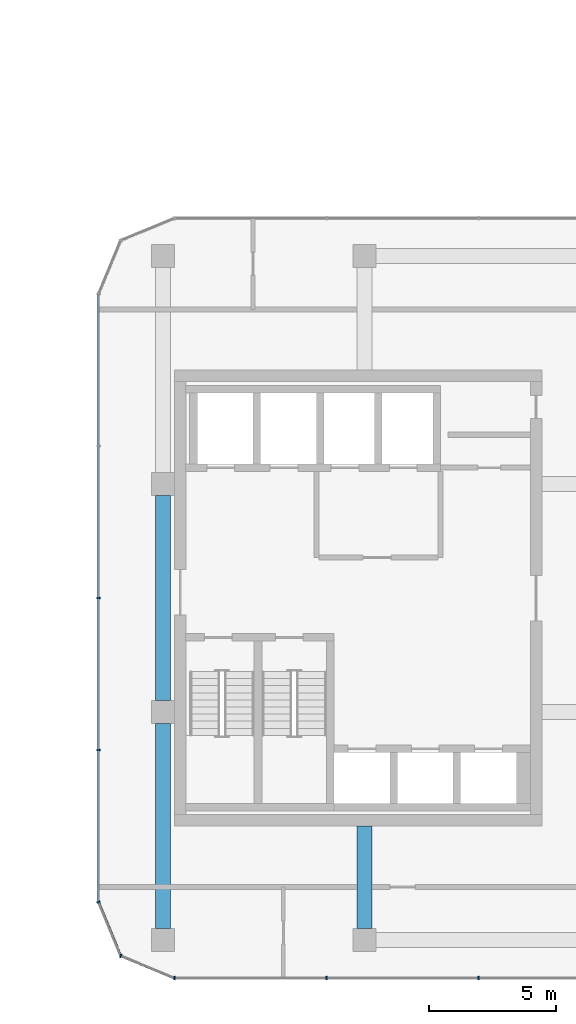
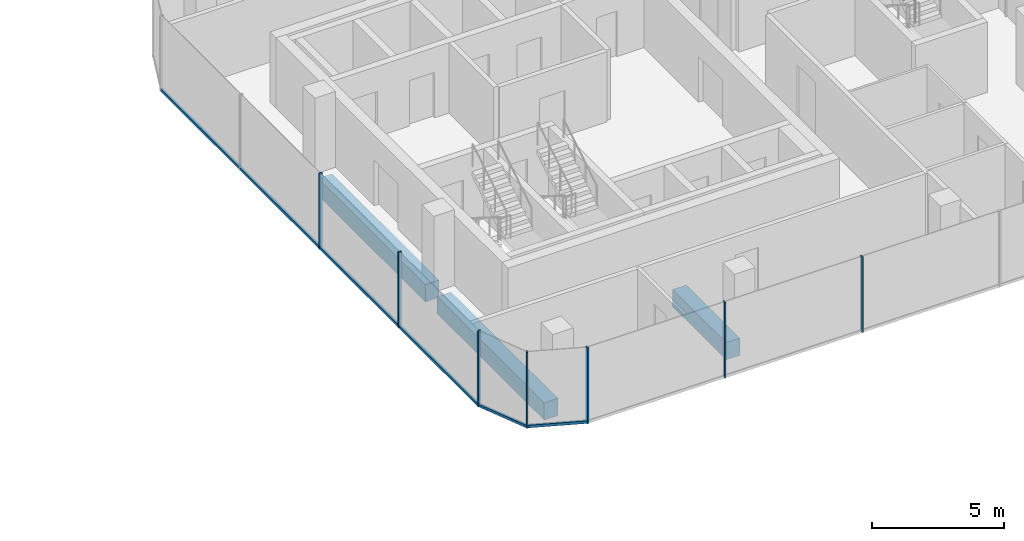
# One storey, part 7 of 27: 10 members, 3 beams, 4 elements without a shape of their own.
"""IFC4 building model written with IfcOpenShell, lengths in metres."""

from ifc_helpers import new_model, si_unit, direction, frame, origin, origin_2d, place, context, subcontext, project, spatial, rectangle, extrude, material, layer, layer_set, material_profile, profile_set, type_object, element, aggregate, save


model = new_model("IFC4")

# Units and contexts
model_context = context("Model", 3, precision=1e-05, world=origin(), true_north=direction((0.0, 1.0)))
body_context = subcontext(model_context, "Body", "Model", "MODEL_VIEW")
ifc_project = project(units=[si_unit("LENGTHUNIT", "METRE"), si_unit("AREAUNIT", "SQUARE_METRE"), si_unit("VOLUMEUNIT", "CUBIC_METRE"), si_unit("PLANEANGLEUNIT", "RADIAN"), si_unit("MASSUNIT", "GRAM", prefix="KILO")], contexts=[model_context])

# Site, building, storey
site_placement = place(None, origin())
site = spatial("IfcSite", under=ifc_project, at=site_placement, CompositionType="ELEMENT")
building_placement = place(site_placement, origin())
building = spatial("IfcBuilding", under=site, at=building_placement, Name="Plateau Cross Towers", CompositionType="ELEMENT")
storey_placement = place(building_placement, frame((0.0, 0.0, 78.300048828125)))
storey = spatial("IfcBuildingStorey", under=building, at=storey_placement, Name="L19", CompositionType="ELEMENT", Elevation=78.300048828125)

# Beam
ifc_material_1 = material(Name="Concrete C60/75", Category="concrete")
ifc_material_profile_1 = material_profile(ifc_material_1, rectangle(XDim=0.60009765625, YDim=0.800048828125, at=origin_2d()), Name="RC 600x800")
ifc_profile_set_1 = profile_set([ifc_material_profile_1], Name="Concrete C60/75")
beam_type_1 = type_object("IfcBeamType", Name="Core beam RC 600x800", PredefinedType="BEAM", material=ifc_profile_set_1)
beam_placement = place(storey_placement, frame((82.5, 0.0, -0.650146484375), z_axis=(0.0, -1.0, 0.0), x_axis=(1.0, 0.0, 0.0)))
element("IfcBeam", 1, at=beam_placement, inside=storey, type_object=beam_type_1, Name="B-CB01@L19", PredefinedType="BEAM", context=body_context, shape_type="SweptSolid", body=[
    extrude(rectangle(XDim=0.60009765625, YDim=0.800048828125, at=origin_2d()), origin(), (0.0, 0.0, 1.0), 4.050048828125),
])

# Curtain wall, members
ifc_material_2 = material(Name="Dark low-iron glass", Category="glass")
ifc_layer = layer(ifc_material_2, 0.239990234375)
ifc_layer_set = layer_set([ifc_layer], Name="Dark low-iron glass")
curtain_wall_type = type_object("IfcCurtainWallType", Name="Curtain wall office unitised CW-F", PredefinedType="NOTDEFINED", material=ifc_layer_set)
curtain_wall_1_placement = place(storey_placement, origin())
curtain_wall_1 = element("IfcCurtainWall", 2, at=curtain_wall_1_placement, inside=storey, type_object=curtain_wall_type, Name="ENV/B/L19/B750_-60", PredefinedType="NOTDEFINED")
ifc_material_3 = material(Name="Black anodised aluminium", Category="aluminium")
ifc_material_profile_2 = material_profile(ifc_material_3, rectangle(XDim=0.06005859375, YDim=0.139892578125, at=origin_2d()), Name="MULLION 60x140")
ifc_profile_set_2 = profile_set([ifc_material_profile_2], Name="Black anodised aluminium")
member_type_1 = type_object("IfcMemberType", Name="Mullion 60x140 office unitised", PredefinedType="MULLION", material=ifc_profile_set_2)
member_1_placement = place(storey_placement, frame((75.0, -6.0, -0.25), z_axis=(0.0, 0.0, 1.0), x_axis=(1.0, 0.0, 0.0)))
member_1 = element("IfcMember", 3, at=member_1_placement, type_object=member_type_1, Name="CW-F mullion 1", PredefinedType="MULLION", context=body_context, shape_type="SweptSolid", body=[
    extrude(rectangle(XDim=0.06005859375, YDim=0.139892578125, at=origin_2d()), origin(), (0.0, 0.0, 1.0), 3.5),
])
member_2_placement = place(storey_placement, frame((81.0, -6.0, -0.25), z_axis=(0.0, 0.0, 1.0), x_axis=(1.0, 0.0, 0.0)))
member_2 = element("IfcMember", 4, at=member_2_placement, type_object=member_type_1, Name="CW-F mullion 2", PredefinedType="MULLION", context=body_context, shape_type="SweptSolid", body=[
    extrude(rectangle(XDim=0.06005859375, YDim=0.139892578125, at=origin_2d()), origin(), (0.0, 0.0, 1.0), 3.5),
])
member_3_placement = place(storey_placement, frame((87.0, -6.0, -0.25), z_axis=(0.0, 0.0, 1.0), x_axis=(1.0, 0.0, 0.0)))
member_3 = element("IfcMember", 5, at=member_3_placement, type_object=member_type_1, Name="CW-F mullion 3", PredefinedType="MULLION", context=body_context, shape_type="SweptSolid", body=[
    extrude(rectangle(XDim=0.06005859375, YDim=0.139892578125, at=origin_2d()), origin(), (0.0, 0.0, 1.0), 3.5),
])
aggregate(curtain_wall_1, [member_1, member_2, member_3])

curtain_wall_2_placement = place(storey_placement, origin())
curtain_wall_2 = element("IfcCurtainWall", 6, at=curtain_wall_2_placement, inside=storey, type_object=curtain_wall_type, Name="ENV/B/L19/B720_210", PredefinedType="NOTDEFINED")
member_4_placement = place(storey_placement, frame((72.0, 9.0, -0.25), z_axis=(0.0, 0.0, 1.0), x_axis=(0.0, -1.0, 0.0)))
member_4 = element("IfcMember", 7, at=member_4_placement, type_object=member_type_1, Name="CW-F mullion 3", PredefinedType="MULLION", context=body_context, shape_type="SweptSolid", body=[
    extrude(rectangle(XDim=0.06005859375, YDim=0.139892578125, at=origin_2d()), origin(), (0.0, 0.0, 1.0), 3.5),
])
member_5_placement = place(storey_placement, frame((72.0, 3.0, -0.25), z_axis=(0.0, 0.0, 1.0), x_axis=(0.0, -1.0, 0.0)))
member_5 = element("IfcMember", 8, at=member_5_placement, type_object=member_type_1, Name="CW-F mullion 4", PredefinedType="MULLION", context=body_context, shape_type="SweptSolid", body=[
    extrude(rectangle(XDim=0.06005859375, YDim=0.139892578125, at=origin_2d()), origin(), (0.0, 0.0, 1.0), 3.5),
])

# Curtain wall, member
curtain_wall_3_placement = place(storey_placement, origin())
curtain_wall_3 = element("IfcCurtainWall", 9, at=curtain_wall_3_placement, inside=storey, type_object=curtain_wall_type, Name="ENV/B/L19/B720_-30", PredefinedType="NOTDEFINED")
member_6_placement = place(storey_placement, frame((72.0, -3.0, -0.25), z_axis=(0.0, 0.0, 1.0), x_axis=(0.382683612978, -0.923879457699, 0.0)))
member_6 = element("IfcMember", 10, at=member_6_placement, type_object=member_type_1, Name="CW-F mullion 1", PredefinedType="MULLION", context=body_context, shape_type="SweptSolid", body=[
    extrude(rectangle(XDim=0.06005859375, YDim=0.139892578125, at=origin_2d()), origin(), (0.0, 0.0, 1.0), 3.5),
])

curtain_wall_4_placement = place(storey_placement, origin())
curtain_wall_4 = element("IfcCurtainWall", 11, at=curtain_wall_4_placement, inside=storey, type_object=curtain_wall_type, Name="ENV/B/L19/B729_-51", PredefinedType="NOTDEFINED")
member_7_placement = place(storey_placement, frame((72.878662109375, -5.121337890625, -0.25), z_axis=(0.0, 0.0, 1.0), x_axis=(0.923879457699, -0.382683612978, 0.0)))
member_7 = element("IfcMember", 12, at=member_7_placement, type_object=member_type_1, Name="CW-F mullion 1", PredefinedType="MULLION", context=body_context, shape_type="SweptSolid", body=[
    extrude(rectangle(XDim=0.06005859375, YDim=0.139892578125, at=origin_2d()), origin(), (0.0, 0.0, 1.0), 3.5),
])

# Beams
ifc_material_profile_3 = material_profile(ifc_material_1, rectangle(XDim=0.60009765625, YDim=0.800048828125, at=origin_2d()), Name="RC 600x800")
ifc_profile_set_3 = profile_set([ifc_material_profile_3], Name="Concrete C60/75")
beam_type_2 = type_object("IfcBeamType", Name="Ring beam RC 600x800", PredefinedType="BEAM", material=ifc_profile_set_3)
for number, where, z_axis, x_axis, name in (
    (13, (74.550048828125, 13.050048828125, -0.650146484375), (0.0, -1.0, 0.0), (1.0, 0.0, 0.0), "B-RB09@L19"),
    (14, (74.550048828125, 4.050048828125, -0.650146484375), (0.0, -1.0, 0.0), (1.0, 0.0, 0.0), "B-RB10@L19"),
):
    element("IfcBeam", number, at=place(storey_placement, frame(where, z_axis=z_axis, x_axis=x_axis)), inside=storey, type_object=beam_type_2, Name=name, PredefinedType="BEAM", context=body_context, shape_type="SweptSolid", body=[
        extrude(rectangle(XDim=0.60009765625, YDim=0.800048828125, at=origin_2d()), origin(), (0.0, 0.0, 1.0), 8.10009765625),
    ])

# Member
ifc_material_profile_4 = material_profile(ifc_material_3, rectangle(XDim=0.10009765625, YDim=0.1201171875, at=origin_2d()), Name="TRANSOM 100x120")
ifc_profile_set_4 = profile_set([ifc_material_profile_4], Name="Black anodised aluminium")
member_type_2 = type_object("IfcMemberType", Name="Transom 100x120 office unitised", PredefinedType="USERDEFINED", material=ifc_profile_set_4)
member_8_placement = place(storey_placement, frame((72.0, 21.0, -0.18994140625), z_axis=(0.0, -1.0, 0.0), x_axis=(1.0, 0.0, 0.0)))
member_8 = element("IfcMember", 15, at=member_8_placement, type_object=member_type_2, Name="CW-F transom", ObjectType="TRANSOM", PredefinedType="USERDEFINED", context=body_context, shape_type="SweptSolid", body=[
    extrude(rectangle(XDim=0.10009765625, YDim=0.1201171875, at=origin_2d()), origin(), (0.0, 0.0, 1.0), 24.0),
])

aggregate(curtain_wall_2, [member_4, member_5, member_8])

member_9_placement = place(storey_placement, frame((72.0, -3.0, -0.18994140625), z_axis=(0.382674207535, -0.923883353507, 0.0), x_axis=(0.923883353507, 0.382674207535, 0.0)))
member_9 = element("IfcMember", 16, at=member_9_placement, type_object=member_type_2, Name="CW-F transom", ObjectType="TRANSOM", PredefinedType="USERDEFINED", context=body_context, shape_type="SweptSolid", body=[
    extrude(rectangle(XDim=0.10009765625, YDim=0.1201171875, at=origin_2d()), origin(), (0.0, 0.0, 1.0), 2.296142578125),
])

aggregate(curtain_wall_3, [member_6, member_9])

member_10_placement = place(storey_placement, frame((72.878662109375, -5.121337890625, -0.18994140625), z_axis=(0.923883353507, -0.382674207535, 0.0), x_axis=(0.382674207535, 0.923883353507, 0.0)))
member_10 = element("IfcMember", 17, at=member_10_placement, type_object=member_type_2, Name="CW-F transom", ObjectType="TRANSOM", PredefinedType="USERDEFINED", context=body_context, shape_type="SweptSolid", body=[
    extrude(rectangle(XDim=0.10009765625, YDim=0.1201171875, at=origin_2d()), origin(), (0.0, 0.0, 1.0), 2.296142578125),
])

aggregate(curtain_wall_4, [member_7, member_10])

save(model, "model.ifc")
